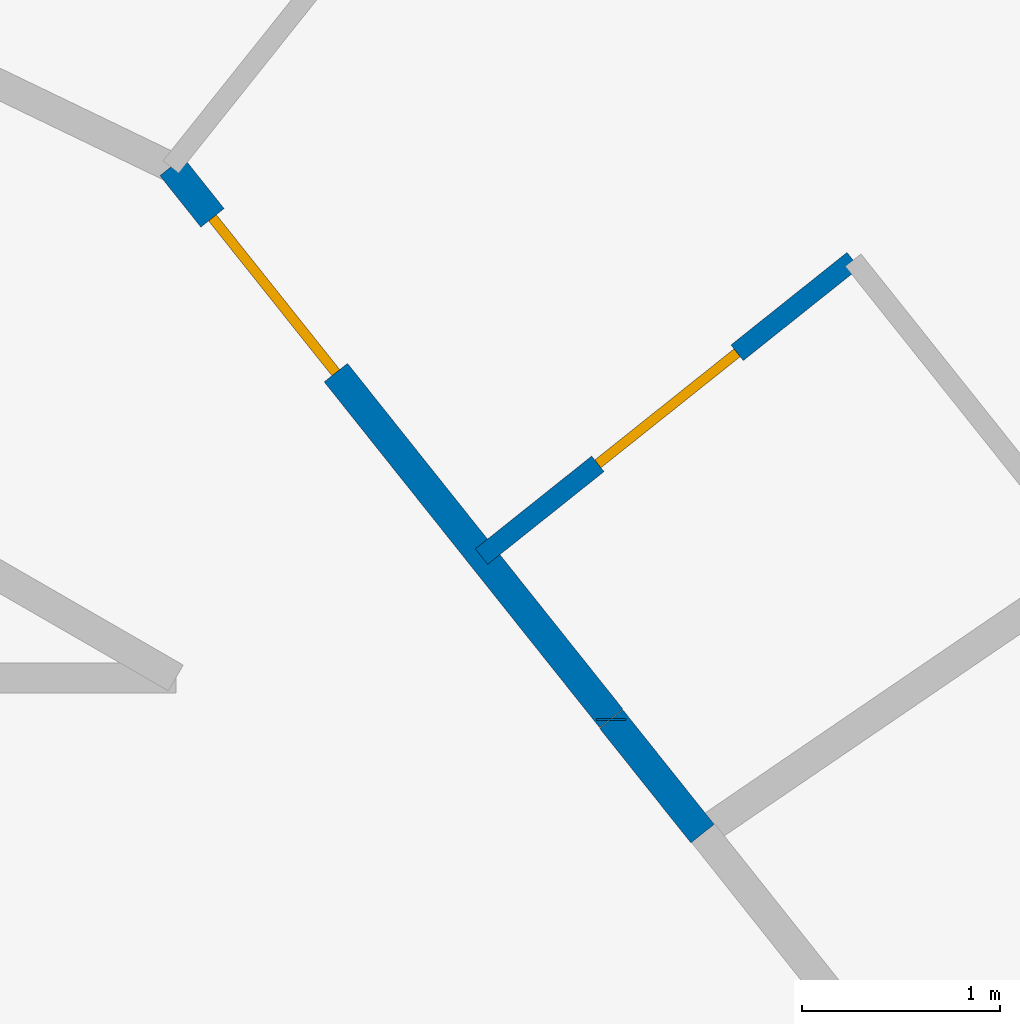
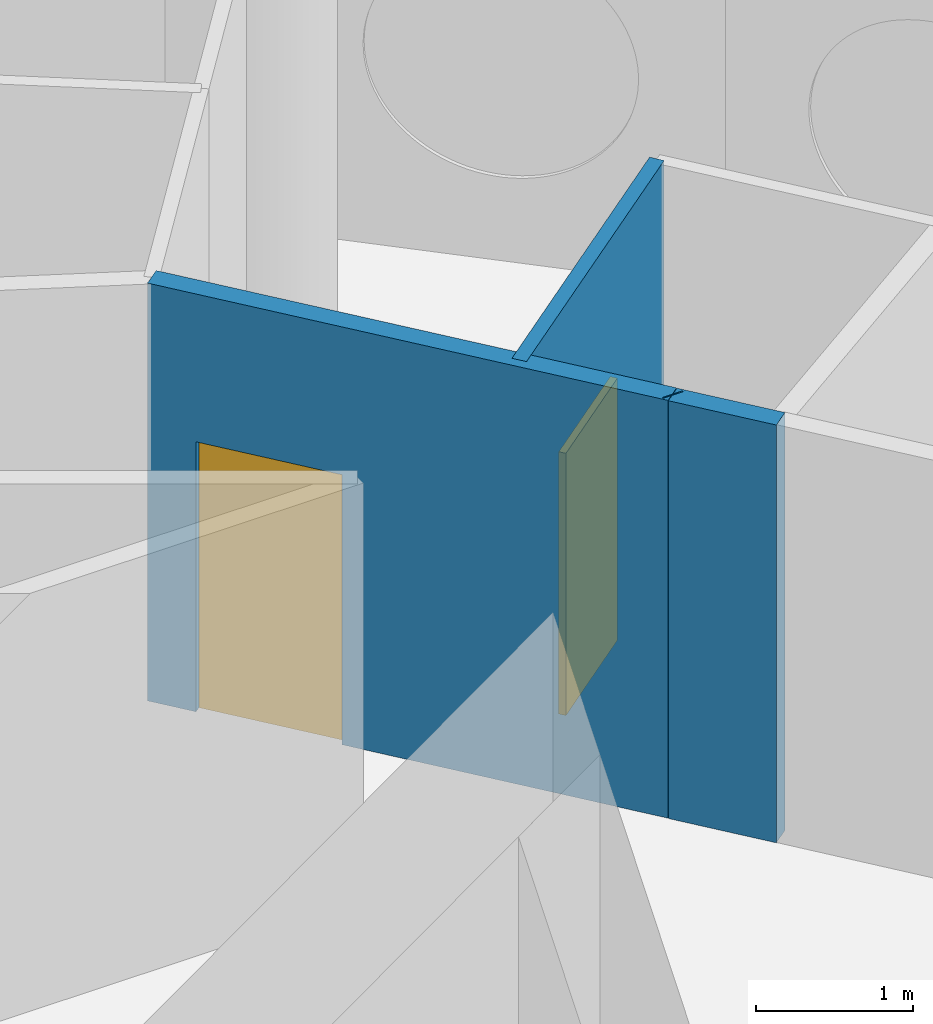
# One storey, part 9 of 13: 4 walls, 2 doors, 2 openings.
"""IFC4 building model written with IfcOpenShell, lengths in metres."""

import ifcopenshell
import ifcopenshell.guid

model = None  # the IFC model being written
_history = None  # IfcOwnerHistory: only IFC2X3 demands one
_inside = {}  # id of a spatial element -> (the spatial element, [elements in it])
_under = {}  # id of a project, library or spatial element -> (it, [spatial elements below it])
_declared = {}  # id of a project -> (the project, [libraries it declares])
_typed = {}  # id of a type object -> (the type object, [elements of that type])
_made_of = {}  # id of a material, layer set ... -> (it, [elements and type objects made of it])


def new_model(schema):
    """Start an empty IFC model of exactly this schema.

    Asked for "IFC4X3", IfcOpenShell would pick the latest addendum, in which some entities
    have other attributes; the version numbers below select the first issue.
    IFC2X3 requires an IfcOwnerHistory on every rooted entity: one is made here for all.
    """
    global model, _history
    if schema == "IFC4X3":
        model = ifcopenshell.file(schema_version=(4, 3, 0, 0))
    else:
        model = ifcopenshell.file(schema=schema)
    _inside.clear()
    _under.clear()
    _declared.clear()
    _typed.clear()
    _made_of.clear()
    _history = None
    if model.schema == "IFC2X3":
        org = make("IfcOrganization", Name="unknown")
        user = make(
            "IfcPersonAndOrganization",
            ThePerson=make("IfcPerson", FamilyName="unknown"),
            TheOrganization=org,
        )
        app = make(
            "IfcApplication",
            ApplicationDeveloper=org,
            Version="unknown",
            ApplicationFullName="unknown",
            ApplicationIdentifier="unknown",
        )
        _history = make(
            "IfcOwnerHistory",
            OwningUser=user,
            OwningApplication=app,
            ChangeAction="ADDED",
            CreationDate=0,
        )
    return model


def make(cls, **values):
    """One entity of the class cls with the attributes given. An attribute that is None is left unset."""
    return model.create_entity(
        cls, **{name: value for name, value in values.items() if value is not None}
    )


def rooted(cls, **values):
    """An entity with a GlobalId (a new one), such as an element, a storey or a relation."""
    return make(cls, GlobalId=ifcopenshell.guid.new(), OwnerHistory=_history, **values)


def si_unit(unit_type, name, prefix=None):
    """IfcSIUnit, for example si_unit("LENGTHUNIT", "METRE", prefix="MILLI")."""
    return make("IfcSIUnit", UnitType=unit_type, Prefix=prefix, Name=name)


def assignment(units):
    """IfcUnitAssignment: the units of a project."""
    return None if units is None else make("IfcUnitAssignment", Units=units)


def point(xyz):
    """IfcCartesianPoint."""
    return None if xyz is None else make("IfcCartesianPoint", Coordinates=xyz)


def direction(xyz):
    """IfcDirection."""
    return None if xyz is None else make("IfcDirection", DirectionRatios=xyz)


def frame(location, z_axis=None, x_axis=None):
    """IfcAxis2Placement3D, a coordinate frame: its origin and axes. An axis left out is left unset."""
    return make(
        "IfcAxis2Placement3D",
        Location=point(location),
        Axis=direction(z_axis),
        RefDirection=direction(x_axis),
    )


def frame_2d(location, x_axis=None):
    """IfcAxis2Placement2D, a coordinate frame in the plane: its origin and x axis."""
    return make(
        "IfcAxis2Placement2D", Location=point(location), RefDirection=direction(x_axis)
    )


def origin():
    """The frame at (0, 0, 0) with its axes left unset."""
    return frame((0.0, 0.0, 0.0))


def place(relative_to, where):
    """IfcLocalPlacement: puts the frame where relative to a parent placement (None: the world)."""
    return make(
        "IfcLocalPlacement", PlacementRelTo=relative_to, RelativePlacement=where
    )


def context(
    kind, dimensions, precision=None, world=None, true_north=None, identifier=None
):
    """IfcGeometricRepresentationContext, for example the 3D "Model" context."""
    return make(
        "IfcGeometricRepresentationContext",
        ContextIdentifier=identifier,
        ContextType=kind,
        CoordinateSpaceDimension=dimensions,
        Precision=precision,
        WorldCoordinateSystem=world,
        TrueNorth=true_north,
    )


def subcontext(parent, identifier, kind, view, scale=None):
    """IfcGeometricRepresentationSubContext, for example "Body" below "Model"."""
    return make(
        "IfcGeometricRepresentationSubContext",
        ContextIdentifier=identifier,
        ContextType=kind,
        ParentContext=parent,
        TargetScale=scale,
        TargetView=view,
    )


def project(units=None, contexts=None):
    """IfcProject with its units and contexts."""
    return rooted(
        "IfcProject",
        Name="project",
        RepresentationContexts=contexts,
        UnitsInContext=assignment(units),
    )


def spatial(cls, under=None, at=None, **own):
    """A site, building, storey or space (cls), placed at a placement, below another one or the project."""
    s = rooted(cls, ObjectPlacement=at, **own)
    if under is not None:
        _under.setdefault(under.id(), (under, []))[1].append(s)
    return s


def profile(cls, at=None, kind="AREA", **sizes):
    """A parametric profile (cls). Its sizes go by their IFC names, for example OverallWidth=200.0."""
    return make(cls, ProfileType=kind, Position=at, **sizes)


def rectangle(**sizes):
    """IfcRectangleProfileDef."""
    return profile("IfcRectangleProfileDef", **sizes)


def extrude(swept, where, along, depth):
    """IfcExtrudedAreaSolid: the profile swept, set in the frame where, extruded along a direction by depth."""
    return make(
        "IfcExtrudedAreaSolid",
        SweptArea=swept,
        Position=where,
        ExtrudedDirection=direction(along),
        Depth=depth,
    )


def shape(context_of_items, identifier, shape_type, items):
    """IfcShapeRepresentation: the items that make up one representation, for example the "Body"."""
    return make(
        "IfcShapeRepresentation",
        ContextOfItems=context_of_items,
        RepresentationIdentifier=identifier,
        RepresentationType=shape_type,
        Items=items,
    )


def material(Name=None, Category=None):
    """IfcMaterial."""
    return make("IfcMaterial", Name=Name, Category=Category)


def layer(
    of_material, thickness, ventilated=None, Name=None, Category=None, Priority=None
):
    """IfcMaterialLayer: one layer of a wall or slab, of a material (None: an air gap)."""
    return make(
        "IfcMaterialLayer",
        Material=of_material,
        LayerThickness=thickness,
        IsVentilated=ventilated,
        Name=Name,
        Category=Category,
        Priority=Priority,
    )


def layer_set(layers, Name=None):
    """IfcMaterialLayerSet."""
    return make("IfcMaterialLayerSet", MaterialLayers=layers, LayerSetName=Name)


def made_of(thing, what):
    """Note that an element or type object is made of a material, layer set ...; save() writes the relation."""
    if what is not None:
        _made_of.setdefault(what.id(), (what, []))[1].append(thing)
    return thing


def type_object(cls, material=None, **own):
    """A type object (cls), such as IfcWallType, which elements share."""
    return made_of(rooted(cls, **own), material)


def element(
    cls,
    number,
    at=None,
    inside=None,
    cuts=None,
    type_object=None,
    material=None,
    context=None,
    identifier="Body",
    shape_type=None,
    held_by="IfcProductDefinitionShape",
    body=None,
    shapes=None,
    **own,
):
    """One element of the class cls, such as IfcWall. Its Tag is "e" and its number.

    at: its placement. inside: the storey or other place that contains it. cuts: it is an
    opening in that element (IfcRelVoidsElement). A single representation is given by context,
    identifier, shape_type and body (its items); several are given by shapes. held_by: the class
    of the entity that holds the representations. save() writes the other relations.
    """
    e = rooted(cls, Tag="e%d" % number, ObjectPlacement=at, **own)
    if body is not None:
        shapes = [shape(context, identifier, shape_type, body)]
    if shapes is not None:
        e.Representation = make(held_by, Representations=shapes)
    if inside is not None:
        _inside.setdefault(inside.id(), (inside, []))[1].append(e)
    if cuts is not None:
        rooted(
            "IfcRelVoidsElement", RelatingBuildingElement=cuts, RelatedOpeningElement=e
        )
    if type_object is not None:
        _typed.setdefault(type_object.id(), (type_object, []))[1].append(e)
    return made_of(e, material)


def fill(opening, filler):
    """IfcRelFillsElement: the door or window that sits in an opening."""
    return rooted(
        "IfcRelFillsElement",
        RelatingOpeningElement=opening,
        RelatedBuildingElement=filler,
    )


def aggregate(whole, parts):
    """IfcRelAggregates: a whole, such as a stair, and the parts it consists of."""
    return rooted("IfcRelAggregates", RelatingObject=whole, RelatedObjects=parts)


def save(model, path):
    """Write the relations noted so far, then the file.

    IfcRelAggregates (storeys below a building ...), IfcRelContainedInSpatialStructure (elements
    in a storey), IfcRelDefinesByType, IfcRelAssociatesMaterial and IfcRelDeclares: one each for
    every whole, place, type object, material and project.
    """
    for whole, parts in _under.values():
        aggregate(whole, parts)
    for where, things in _inside.values():
        rooted(
            "IfcRelContainedInSpatialStructure",
            RelatedElements=things,
            RelatingStructure=where,
        )
    for kind, things in _typed.values():
        rooted("IfcRelDefinesByType", RelatedObjects=things, RelatingType=kind)
    for what, things in _made_of.values():
        rooted("IfcRelAssociatesMaterial", RelatedObjects=things, RelatingMaterial=what)
    for by, libraries in _declared.values():
        rooted("IfcRelDeclares", RelatingContext=by, RelatedDefinitions=libraries)
    model.write(path)


model = new_model("IFC4")

# Units and contexts
model_context = context("Model", 3, precision=1e-05, world=origin(), true_north=direction((0.0, 1.0)))
body_context = subcontext(model_context, "Body", "Model", "MODEL_VIEW")
ifc_project = project(units=[si_unit("LENGTHUNIT", "METRE"), si_unit("AREAUNIT", "SQUARE_METRE"), si_unit("VOLUMEUNIT", "CUBIC_METRE"), si_unit("PLANEANGLEUNIT", "RADIAN"), si_unit("MASSUNIT", "GRAM", prefix="KILO")], contexts=[model_context])

# Site, building, storey
site_placement = place(None, origin())
site = spatial("IfcSite", under=ifc_project, at=site_placement, CompositionType="ELEMENT")
building_placement = place(site_placement, origin())
building = spatial("IfcBuilding", under=site, at=building_placement, Name="Tracery Tower", CompositionType="ELEMENT")
storey_placement = place(building_placement, frame((0.0, 0.0, 256.199951171875)))
storey = spatial("IfcBuildingStorey", under=building, at=storey_placement, Name="L66", CompositionType="ELEMENT", Elevation=256.199951171875)

# Wall, opening, door
ifc_material_1 = material(Name="Plasterboard on steel studs", Category="steel")
ifc_layer_1 = layer(ifc_material_1, 0.10009765625)
ifc_layer_set_1 = layer_set([ifc_layer_1], Name="Partition 100 wet wall")
wall_type_1 = type_object("IfcWallType", Name="Partition 100 wet wall", PredefinedType="PARTITIONING", material=ifc_layer_set_1)
wall_1_placement = place(storey_placement, frame((10.64501953125, 9.4130859375, 0.0), z_axis=(0.0, 0.0, 1.0), x_axis=(0.781830263661, 0.623491330191, 0.0)))
wall_1 = element("IfcWall", 1, at=wall_1_placement, inside=storey, type_object=wall_type_1, Name="Wet wall RC3-064", PredefinedType="PARTITIONING", context=body_context, shape_type="SweptSolid", body=[
    extrude(rectangle(XDim=2.400634765625, YDim=0.10009765625, at=frame_2d((1.2001953125, 0.0))), origin(), (0.0, 0.0, 1.0), 3.25),
])
opening_1_placement = place(wall_1_placement, frame((0.7509765625, 0.0, 0.0)))
opening_1 = element("IfcOpeningElement", 2, at=opening_1_placement, cuts=wall_1, Name="Opening RC3-13", PredefinedType="OPENING", context=body_context, shape_type="SweptSolid", body=[
    extrude(rectangle(XDim=0.89990234375, YDim=2.0400390625, at=frame_2d((0.449951171875, 1.02001953125))), frame((0.0, 0.050048828125, 0.0), z_axis=(0.0, -1.0, 0.0), x_axis=(1.0, 0.0, 0.0)), (0.0, 0.0, 1.0), 0.10009765625),
])
ifc_material_2 = material(Name="Timber door leaf", Category="wood")
door_type_1 = type_object("IfcDoorType", Name="Door en-suite 900", OperationType="NOTDEFINED", PredefinedType="DOOR", material=ifc_material_2)
door_1_placement = place(opening_1_placement, origin())
door_1 = element("IfcDoor", 3, at=door_1_placement, inside=storey, type_object=door_type_1, Name="En-suite door RC3-13", OperationType="SINGLE_SWING_LEFT", OverallHeight=2.0400390625, OverallWidth=0.89990234375, PredefinedType="DOOR", context=body_context, shape_type="SweptSolid", body=[
    extrude(rectangle(XDim=0.89990234375, YDim=2.0400390625, at=frame_2d((0.449951171875, 1.02001953125))), frame((0.0, 0.02490234375, 0.0), z_axis=(0.0, -1.0, 0.0), x_axis=(1.0, 0.0, 0.0)), (0.0, 0.0, 1.0), 0.050048828125),
])
fill(opening_1, door_1)

ifc_material_3 = material(Name="Plasterboard on steel studs", Category="steel")
ifc_layer_2 = layer(ifc_material_3, 0.14990234375)
ifc_layer_set_2 = layer_set([ifc_layer_2], Name="Partition 150 corridor wall")
wall_type_2 = type_object("IfcWallType", Name="Partition 150 corridor wall", PredefinedType="PARTITIONING", material=ifc_layer_set_2)
wall_2_placement = place(storey_placement, frame((9.0791015625, 11.383544921875, 0.0), z_axis=(0.0, 0.0, 1.0), x_axis=(0.623165080354, -0.782090328944, 0.0)))
wall_2 = element("IfcWall", 4, at=wall_2_placement, inside=storey, type_object=wall_type_2, Name="Corridor wall RC3-005", PredefinedType="PARTITIONING", context=body_context, shape_type="SweptSolid", body=[
    extrude(rectangle(XDim=3.56396484375, YDim=0.14990234375, at=frame_2d((1.781982421875, 0.0))), origin(), (0.0, 0.0, 1.0), 3.25),
])
opening_2_placement = place(wall_2_placement, frame((0.33203125, 0.0, 0.0)))
opening_2 = element("IfcOpeningElement", 5, at=opening_2_placement, cuts=wall_2, Name="Opening RC3-12", PredefinedType="OPENING", context=body_context, shape_type="SweptSolid", body=[
    extrude(rectangle(XDim=1.0, YDim=2.10009765625, at=frame_2d((0.5, 1.050048828125))), frame((0.0, 0.074951171875, 0.0), z_axis=(0.0, -1.0, 0.0), x_axis=(1.0, 0.0, 0.0)), (0.0, 0.0, 1.0), 0.14990234375),
])
ifc_material_4 = material(Name="Timber door leaf", Category="wood")
door_type_2 = type_object("IfcDoorType", Name="Door unit entrance 1000", OperationType="NOTDEFINED", PredefinedType="DOOR", material=ifc_material_4)
door_2_placement = place(opening_2_placement, origin())
door_2 = element("IfcDoor", 6, at=door_2_placement, inside=storey, type_object=door_type_2, Name="Unit entrance door RC3-12", OperationType="SINGLE_SWING_RIGHT", OverallHeight=2.10009765625, OverallWidth=1.0, PredefinedType="DOOR", context=body_context, shape_type="SweptSolid", body=[
    extrude(rectangle(XDim=1.0, YDim=2.10009765625, at=frame_2d((0.5, 1.050048828125))), frame((0.0, 0.02490234375, 0.0), z_axis=(0.0, -1.0, 0.0), x_axis=(1.0, 0.0, 0.0)), (0.0, 0.0, 1.0), 0.050048828125),
])
fill(opening_2, door_2)

# Walls
wall_3_placement = place(storey_placement, frame((11.300048828125, 8.5859375, 0.0), z_axis=(0.0, 0.0, 1.0), x_axis=(0.0, 1.0, 0.0)))
element("IfcWall", 7, at=wall_3_placement, inside=storey, type_object=wall_type_2, Name="Corridor wall RC3-007", PredefinedType="PARTITIONING", context=body_context, shape_type="SweptSolid", body=[
    extrude(rectangle(XDim=0.01025390625, YDim=0.14990234375, at=frame_2d((0.005126953125, 0.0))), origin(), (0.0, 0.0, 1.0), 3.25),
])
wall_4_placement = place(storey_placement, frame((11.300048828125, 8.592041015625, 0.0), z_axis=(0.0, 0.0, 1.0), x_axis=(0.623405636383, -0.781898594785, 0.0)))
element("IfcWall", 8, at=wall_4_placement, inside=storey, type_object=wall_type_2, Name="Corridor wall RC3-023", PredefinedType="PARTITIONING", context=body_context, shape_type="SweptSolid", body=[
    extrude(rectangle(XDim=0.739501953125, YDim=0.14990234375, at=frame_2d((0.36962890625, 0.0))), origin(), (0.0, 0.0, 1.0), 3.25),
])

save(model, "model.ifc")
